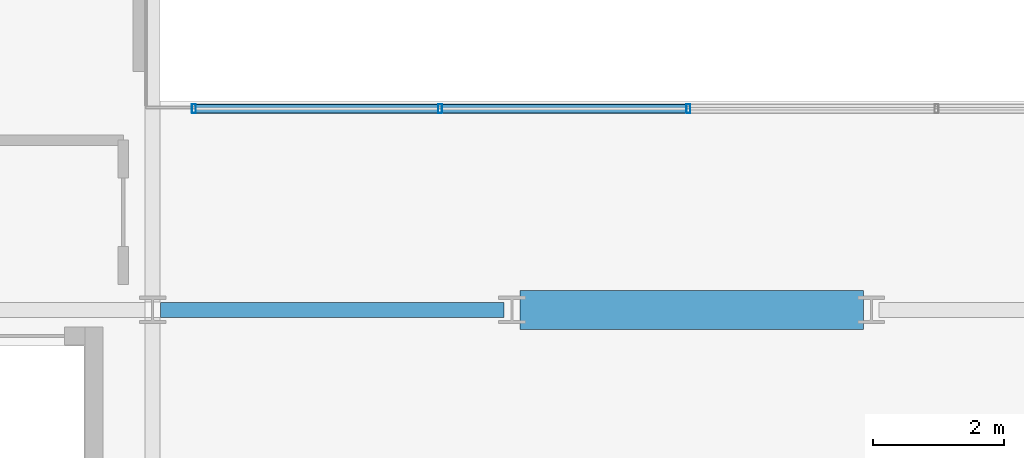
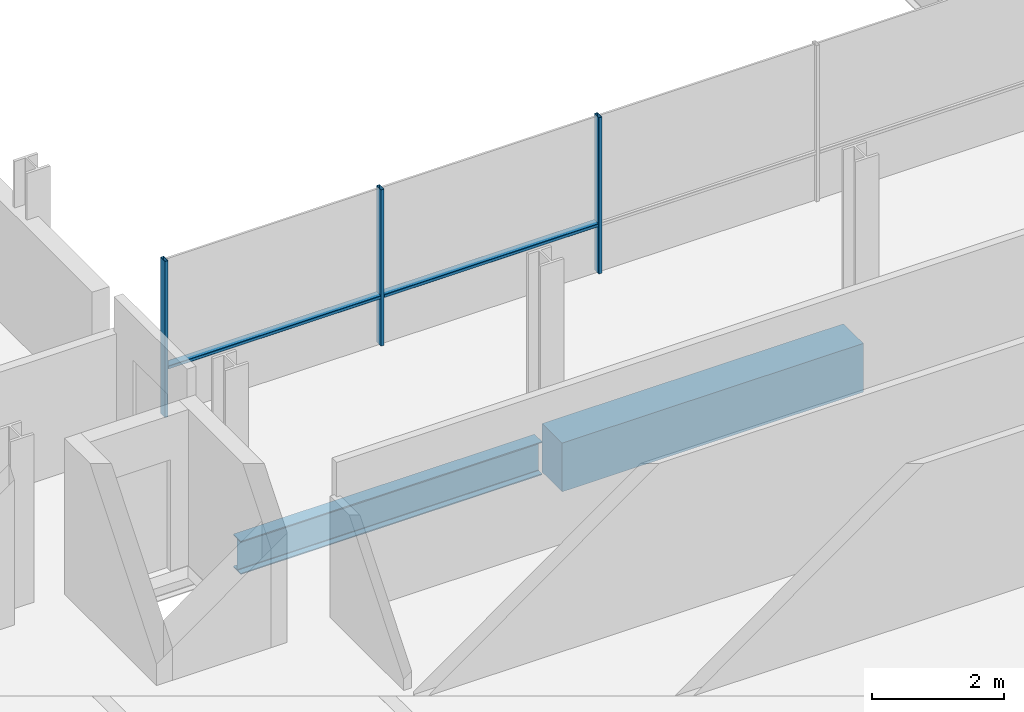
# One storey, part 4 of 39: 5 members, 2 beams, 1 element without a shape of its own.
"""IFC4 building model written with IfcOpenShell, lengths in metres."""

import ifcopenshell
import ifcopenshell.guid

model = None  # the IFC model being written
_history = None  # IfcOwnerHistory: only IFC2X3 demands one
_inside = {}  # id of a spatial element -> (the spatial element, [elements in it])
_under = {}  # id of a project, library or spatial element -> (it, [spatial elements below it])
_declared = {}  # id of a project -> (the project, [libraries it declares])
_typed = {}  # id of a type object -> (the type object, [elements of that type])
_made_of = {}  # id of a material, layer set ... -> (it, [elements and type objects made of it])


def new_model(schema):
    """Start an empty IFC model of exactly this schema.

    Asked for "IFC4X3", IfcOpenShell would pick the latest addendum, in which some entities
    have other attributes; the version numbers below select the first issue.
    IFC2X3 requires an IfcOwnerHistory on every rooted entity: one is made here for all.
    """
    global model, _history
    if schema == "IFC4X3":
        model = ifcopenshell.file(schema_version=(4, 3, 0, 0))
    else:
        model = ifcopenshell.file(schema=schema)
    _inside.clear()
    _under.clear()
    _declared.clear()
    _typed.clear()
    _made_of.clear()
    _history = None
    if model.schema == "IFC2X3":
        org = make("IfcOrganization", Name="unknown")
        user = make(
            "IfcPersonAndOrganization",
            ThePerson=make("IfcPerson", FamilyName="unknown"),
            TheOrganization=org,
        )
        app = make(
            "IfcApplication",
            ApplicationDeveloper=org,
            Version="unknown",
            ApplicationFullName="unknown",
            ApplicationIdentifier="unknown",
        )
        _history = make(
            "IfcOwnerHistory",
            OwningUser=user,
            OwningApplication=app,
            ChangeAction="ADDED",
            CreationDate=0,
        )
    return model


def make(cls, **values):
    """One entity of the class cls with the attributes given. An attribute that is None is left unset."""
    return model.create_entity(
        cls, **{name: value for name, value in values.items() if value is not None}
    )


def rooted(cls, **values):
    """An entity with a GlobalId (a new one), such as an element, a storey or a relation."""
    return make(cls, GlobalId=ifcopenshell.guid.new(), OwnerHistory=_history, **values)


def si_unit(unit_type, name, prefix=None):
    """IfcSIUnit, for example si_unit("LENGTHUNIT", "METRE", prefix="MILLI")."""
    return make("IfcSIUnit", UnitType=unit_type, Prefix=prefix, Name=name)


def assignment(units):
    """IfcUnitAssignment: the units of a project."""
    return None if units is None else make("IfcUnitAssignment", Units=units)


def point(xyz):
    """IfcCartesianPoint."""
    return None if xyz is None else make("IfcCartesianPoint", Coordinates=xyz)


def direction(xyz):
    """IfcDirection."""
    return None if xyz is None else make("IfcDirection", DirectionRatios=xyz)


def frame(location, z_axis=None, x_axis=None):
    """IfcAxis2Placement3D, a coordinate frame: its origin and axes. An axis left out is left unset."""
    return make(
        "IfcAxis2Placement3D",
        Location=point(location),
        Axis=direction(z_axis),
        RefDirection=direction(x_axis),
    )


def frame_2d(location, x_axis=None):
    """IfcAxis2Placement2D, a coordinate frame in the plane: its origin and x axis."""
    return make(
        "IfcAxis2Placement2D", Location=point(location), RefDirection=direction(x_axis)
    )


def origin():
    """The frame at (0, 0, 0) with its axes left unset."""
    return frame((0.0, 0.0, 0.0))


def origin_2d():
    """The frame at (0, 0) in the plane with its x axis left unset."""
    return frame_2d((0.0, 0.0))


def place(relative_to, where):
    """IfcLocalPlacement: puts the frame where relative to a parent placement (None: the world)."""
    return make(
        "IfcLocalPlacement", PlacementRelTo=relative_to, RelativePlacement=where
    )


def context(
    kind, dimensions, precision=None, world=None, true_north=None, identifier=None
):
    """IfcGeometricRepresentationContext, for example the 3D "Model" context."""
    return make(
        "IfcGeometricRepresentationContext",
        ContextIdentifier=identifier,
        ContextType=kind,
        CoordinateSpaceDimension=dimensions,
        Precision=precision,
        WorldCoordinateSystem=world,
        TrueNorth=true_north,
    )


def subcontext(parent, identifier, kind, view, scale=None):
    """IfcGeometricRepresentationSubContext, for example "Body" below "Model"."""
    return make(
        "IfcGeometricRepresentationSubContext",
        ContextIdentifier=identifier,
        ContextType=kind,
        ParentContext=parent,
        TargetScale=scale,
        TargetView=view,
    )


def project(units=None, contexts=None):
    """IfcProject with its units and contexts."""
    return rooted(
        "IfcProject",
        Name="project",
        RepresentationContexts=contexts,
        UnitsInContext=assignment(units),
    )


def spatial(cls, under=None, at=None, **own):
    """A site, building, storey or space (cls), placed at a placement, below another one or the project."""
    s = rooted(cls, ObjectPlacement=at, **own)
    if under is not None:
        _under.setdefault(under.id(), (under, []))[1].append(s)
    return s


def profile(cls, at=None, kind="AREA", **sizes):
    """A parametric profile (cls). Its sizes go by their IFC names, for example OverallWidth=200.0."""
    return make(cls, ProfileType=kind, Position=at, **sizes)


def rectangle(**sizes):
    """IfcRectangleProfileDef."""
    return profile("IfcRectangleProfileDef", **sizes)


def hollow_rectangle(**sizes):
    """IfcRectangleHollowProfileDef."""
    return profile("IfcRectangleHollowProfileDef", **sizes)


def i_section(**sizes):
    """IfcIShapeProfileDef."""
    return profile("IfcIShapeProfileDef", **sizes)


def extrude(swept, where, along, depth):
    """IfcExtrudedAreaSolid: the profile swept, set in the frame where, extruded along a direction by depth."""
    return make(
        "IfcExtrudedAreaSolid",
        SweptArea=swept,
        Position=where,
        ExtrudedDirection=direction(along),
        Depth=depth,
    )


def shape(context_of_items, identifier, shape_type, items):
    """IfcShapeRepresentation: the items that make up one representation, for example the "Body"."""
    return make(
        "IfcShapeRepresentation",
        ContextOfItems=context_of_items,
        RepresentationIdentifier=identifier,
        RepresentationType=shape_type,
        Items=items,
    )


def material(Name=None, Category=None):
    """IfcMaterial."""
    return make("IfcMaterial", Name=Name, Category=Category)


def layer(
    of_material, thickness, ventilated=None, Name=None, Category=None, Priority=None
):
    """IfcMaterialLayer: one layer of a wall or slab, of a material (None: an air gap)."""
    return make(
        "IfcMaterialLayer",
        Material=of_material,
        LayerThickness=thickness,
        IsVentilated=ventilated,
        Name=Name,
        Category=Category,
        Priority=Priority,
    )


def layer_set(layers, Name=None):
    """IfcMaterialLayerSet."""
    return make("IfcMaterialLayerSet", MaterialLayers=layers, LayerSetName=Name)


def material_profile(
    of_material, cross_section, Name=None, Category=None, Priority=None
):
    """IfcMaterialProfile: a cross section and its material."""
    return make(
        "IfcMaterialProfile",
        Name=Name,
        Material=of_material,
        Profile=cross_section,
        Priority=Priority,
        Category=Category,
    )


def profile_set(profiles, Name=None, composite=None):
    """IfcMaterialProfileSet."""
    return make(
        "IfcMaterialProfileSet",
        Name=Name,
        MaterialProfiles=profiles,
        CompositeProfile=composite,
    )


def made_of(thing, what):
    """Note that an element or type object is made of a material, layer set ...; save() writes the relation."""
    if what is not None:
        _made_of.setdefault(what.id(), (what, []))[1].append(thing)
    return thing


def type_object(cls, material=None, **own):
    """A type object (cls), such as IfcWallType, which elements share."""
    return made_of(rooted(cls, **own), material)


def element(
    cls,
    number,
    at=None,
    inside=None,
    cuts=None,
    type_object=None,
    material=None,
    context=None,
    identifier="Body",
    shape_type=None,
    held_by="IfcProductDefinitionShape",
    body=None,
    shapes=None,
    **own,
):
    """One element of the class cls, such as IfcWall. Its Tag is "e" and its number.

    at: its placement. inside: the storey or other place that contains it. cuts: it is an
    opening in that element (IfcRelVoidsElement). A single representation is given by context,
    identifier, shape_type and body (its items); several are given by shapes. held_by: the class
    of the entity that holds the representations. save() writes the other relations.
    """
    e = rooted(cls, Tag="e%d" % number, ObjectPlacement=at, **own)
    if body is not None:
        shapes = [shape(context, identifier, shape_type, body)]
    if shapes is not None:
        e.Representation = make(held_by, Representations=shapes)
    if inside is not None:
        _inside.setdefault(inside.id(), (inside, []))[1].append(e)
    if cuts is not None:
        rooted(
            "IfcRelVoidsElement", RelatingBuildingElement=cuts, RelatedOpeningElement=e
        )
    if type_object is not None:
        _typed.setdefault(type_object.id(), (type_object, []))[1].append(e)
    return made_of(e, material)


def aggregate(whole, parts):
    """IfcRelAggregates: a whole, such as a stair, and the parts it consists of."""
    return rooted("IfcRelAggregates", RelatingObject=whole, RelatedObjects=parts)


def save(model, path):
    """Write the relations noted so far, then the file.

    IfcRelAggregates (storeys below a building ...), IfcRelContainedInSpatialStructure (elements
    in a storey), IfcRelDefinesByType, IfcRelAssociatesMaterial and IfcRelDeclares: one each for
    every whole, place, type object, material and project.
    """
    for whole, parts in _under.values():
        aggregate(whole, parts)
    for where, things in _inside.values():
        rooted(
            "IfcRelContainedInSpatialStructure",
            RelatedElements=things,
            RelatingStructure=where,
        )
    for kind, things in _typed.values():
        rooted("IfcRelDefinesByType", RelatedObjects=things, RelatingType=kind)
    for what, things in _made_of.values():
        rooted("IfcRelAssociatesMaterial", RelatedObjects=things, RelatingMaterial=what)
    for by, libraries in _declared.values():
        rooted("IfcRelDeclares", RelatingContext=by, RelatedDefinitions=libraries)
    model.write(path)


model = new_model("IFC4")

# Units and contexts
model_context = context("Model", 3, precision=1e-05, world=origin(), true_north=direction((0.0, 1.0)))
body_context = subcontext(model_context, "Body", "Model", "MODEL_VIEW")
ifc_project = project(units=[si_unit("LENGTHUNIT", "METRE"), si_unit("AREAUNIT", "SQUARE_METRE"), si_unit("VOLUMEUNIT", "CUBIC_METRE"), si_unit("PLANEANGLEUNIT", "RADIAN"), si_unit("MASSUNIT", "GRAM", prefix="KILO")], contexts=[model_context])

# Site, building, storey
site_placement = place(None, origin())
site = spatial("IfcSite", under=ifc_project, at=site_placement, CompositionType="ELEMENT")
building_placement = place(site_placement, origin())
building = spatial("IfcBuilding", under=site, at=building_placement, Name="Brevholm Reach", CompositionType="ELEMENT")
storey_placement = place(building_placement, frame((0.0, 0.0, 115.89990234375)))
storey = spatial("IfcBuildingStorey", under=building, at=storey_placement, Name="L34", CompositionType="ELEMENT", Elevation=115.89990234375)

# Beams
ifc_material_1 = material(Name="Concrete C50/60", Category="concrete")
ifc_material_profile_1 = material_profile(ifc_material_1, rectangle(XDim=0.60009765625, YDim=0.89990234375, at=origin_2d()), Name="RC 600x900")
ifc_profile_set_1 = profile_set([ifc_material_profile_1], Name="Concrete C50/60")
beam_type_1 = type_object("IfcBeamType", Name="BM-CB600", PredefinedType="LINTEL", material=ifc_profile_set_1)
beam_1_placement = place(storey_placement, frame((27.3701171875, 10.0, -0.669921875), z_axis=(1.0, 0.0, 0.0), x_axis=(0.0, 1.0, 0.0)))
element("IfcBeam", 1, at=beam_1_placement, inside=storey, type_object=beam_type_1, Name="L34 CB-02 Framing Beam", PredefinedType="LINTEL", context=body_context, shape_type="SweptSolid", body=[
    extrude(rectangle(XDim=0.60009765625, YDim=0.89990234375, at=origin_2d()), origin(), (0.0, 0.0, 1.0), 5.259765625),
])
ifc_material_2 = material(Name="Structural Steel S355J2", Category="steel")
ifc_material_profile_2 = material_profile(ifc_material_2, i_section(OverallWidth=0.22900390625, OverallDepth=0.6123046875, WebThickness=0.011962890625, FlangeThickness=0.01953125, FilletRadius=0.0126953125, at=origin_2d()), Name="UKB 610x229x125")
ifc_profile_set_2 = profile_set([ifc_material_profile_2], Name="Structural Steel S355J2")
beam_type_2 = type_object("IfcBeamType", Name="BM-SP610", PredefinedType="SPANDREL", material=ifc_profile_set_2)
beam_2_placement = place(storey_placement, frame((21.8701171875, 10.0, -0.526123046875), z_axis=(1.0, 0.0, 0.0), x_axis=(0.0, 1.0, 0.0)))
element("IfcBeam", 2, at=beam_2_placement, inside=storey, type_object=beam_type_2, Name="L34 SP-01 Framing Beam", PredefinedType="SPANDREL", context=body_context, shape_type="SweptSolid", body=[
    extrude(i_section(OverallWidth=0.22900390625, OverallDepth=0.6123046875, WebThickness=0.011962890625, FlangeThickness=0.01953125, FilletRadius=0.0126953125, at=origin_2d()), origin(), (0.0, 0.0, 1.0), 5.259765625),
])

# Curtain wall, members
ifc_material_3 = material(Name="Dark Anodised Aluminium 6063-T6 and Solar-Control Glass", Category="aluminium")
ifc_layer = layer(ifc_material_3, 0.139892578125)
ifc_layer_set = layer_set([ifc_layer], Name="Dark Anodised Aluminium 6063-T6 and Solar-Control Glass")
curtain_wall_type = type_object("IfcCurtainWallType", Name="CW-02", PredefinedType="NOTDEFINED", material=ifc_layer_set)
curtain_wall_placement = place(storey_placement, origin())
curtain_wall = element("IfcCurtainWall", 3, at=curtain_wall_placement, inside=storey, type_object=curtain_wall_type, Name="L34 Curtain Wall CW-02", PredefinedType="NOTDEFINED")
ifc_material_4 = material(Name="Dark Anodised Aluminium 6063-T6", Category="aluminium")
ifc_material_profile_3 = material_profile(ifc_material_4, hollow_rectangle(XDim=0.06005859375, YDim=0.139892578125, WallThickness=0.0048828125, InnerFilletRadius=0.0048828125, OuterFilletRadius=0.010009765625, at=origin_2d()), Name="RHS 140x60x5")
ifc_profile_set_3 = profile_set([ifc_material_profile_3], Name="Dark Anodised Aluminium 6063-T6")
member_type_1 = type_object("IfcMemberType", Name="CWM-140", PredefinedType="MULLION", material=ifc_profile_set_3)
member_1_placement = place(storey_placement, frame((22.3798828125, 13.080078125, 0.0), z_axis=(0.0, 0.0, 1.0), x_axis=(1.0, 0.0, 0.0)))
member_1 = element("IfcMember", 4, at=member_1_placement, type_object=member_type_1, Name="CM-140 Mullion 1", PredefinedType="MULLION", context=body_context, shape_type="SweptSolid", body=[
    extrude(hollow_rectangle(XDim=0.06005859375, YDim=0.139892578125, WallThickness=0.0048828125, InnerFilletRadius=0.0048828125, OuterFilletRadius=0.010009765625, at=origin_2d()), origin(), (0.0, 0.0, 1.0), 2.880126953125),
])
member_2_placement = place(storey_placement, frame((26.14990234375, 13.080078125, 0.0), z_axis=(0.0, 0.0, 1.0), x_axis=(1.0, 0.0, 0.0)))
member_2 = element("IfcMember", 5, at=member_2_placement, type_object=member_type_1, Name="CM-140 Mullion 2", PredefinedType="MULLION", context=body_context, shape_type="SweptSolid", body=[
    extrude(hollow_rectangle(XDim=0.06005859375, YDim=0.139892578125, WallThickness=0.0048828125, InnerFilletRadius=0.0048828125, OuterFilletRadius=0.010009765625, at=origin_2d()), origin(), (0.0, 0.0, 1.0), 2.880126953125),
])
member_3_placement = place(storey_placement, frame((29.949951171875, 13.080078125, 0.0), z_axis=(0.0, 0.0, 1.0), x_axis=(1.0, 0.0, 0.0)))
member_3 = element("IfcMember", 6, at=member_3_placement, type_object=member_type_1, Name="CM-140 Mullion 3", PredefinedType="MULLION", context=body_context, shape_type="SweptSolid", body=[
    extrude(hollow_rectangle(XDim=0.06005859375, YDim=0.139892578125, WallThickness=0.0048828125, InnerFilletRadius=0.0048828125, OuterFilletRadius=0.010009765625, at=origin_2d()), origin(), (0.0, 0.0, 1.0), 2.880126953125),
])
ifc_material_5 = material(Name="Dark Anodised Aluminium 6063-T6", Category="aluminium")
ifc_material_profile_4 = material_profile(ifc_material_5, hollow_rectangle(XDim=0.06005859375, YDim=0.139892578125, WallThickness=0.0048828125, InnerFilletRadius=0.0048828125, OuterFilletRadius=0.010009765625, at=origin_2d()), Name="RHS 140x60x5")
ifc_profile_set_4 = profile_set([ifc_material_profile_4], Name="Dark Anodised Aluminium 6063-T6")
member_type_2 = type_object("IfcMemberType", Name="CWT-140", PredefinedType="NOTDEFINED", material=ifc_profile_set_4)
member_4_placement = place(storey_placement, frame((22.409912109375, 13.080078125, 0.900146484375), z_axis=(1.0, 0.0, 0.0), x_axis=(0.0, 0.0, 1.0)))
member_4 = element("IfcMember", 7, at=member_4_placement, type_object=member_type_2, Name="CT-140 Transom 1.1", ObjectType="TRANSOM", PredefinedType="USERDEFINED", context=body_context, shape_type="SweptSolid", body=[
    extrude(hollow_rectangle(XDim=0.06005859375, YDim=0.139892578125, WallThickness=0.0048828125, InnerFilletRadius=0.0048828125, OuterFilletRadius=0.010009765625, at=origin_2d()), origin(), (0.0, 0.0, 1.0), 3.710205078125),
])
member_5_placement = place(storey_placement, frame((26.179931640625, 13.080078125, 0.900146484375), z_axis=(1.0, 0.0, 0.0), x_axis=(0.0, 0.0, 1.0)))
member_5 = element("IfcMember", 8, at=member_5_placement, type_object=member_type_2, Name="CT-140 Transom 2.1", ObjectType="TRANSOM", PredefinedType="USERDEFINED", context=body_context, shape_type="SweptSolid", body=[
    extrude(hollow_rectangle(XDim=0.06005859375, YDim=0.139892578125, WallThickness=0.0048828125, InnerFilletRadius=0.0048828125, OuterFilletRadius=0.010009765625, at=origin_2d()), origin(), (0.0, 0.0, 1.0), 3.739990234375),
])
aggregate(curtain_wall, [member_1, member_2, member_3, member_4, member_5])

save(model, "model.ifc")
